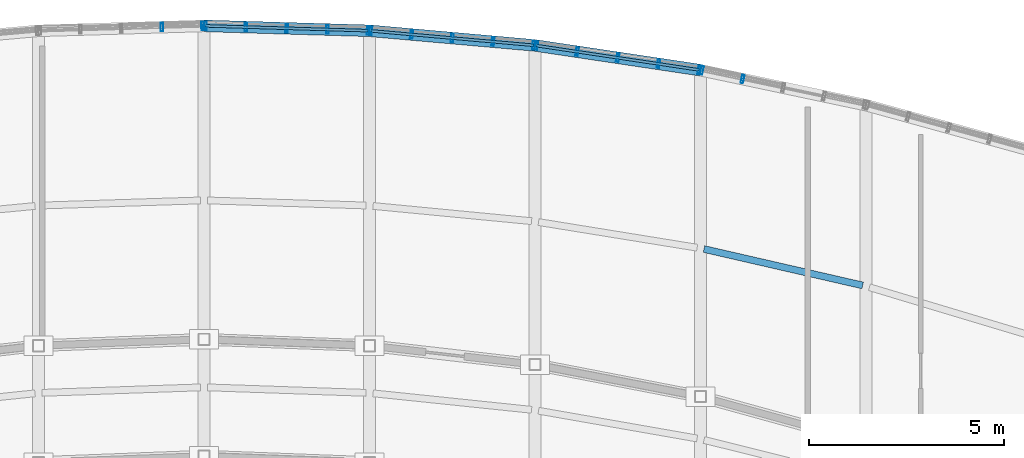
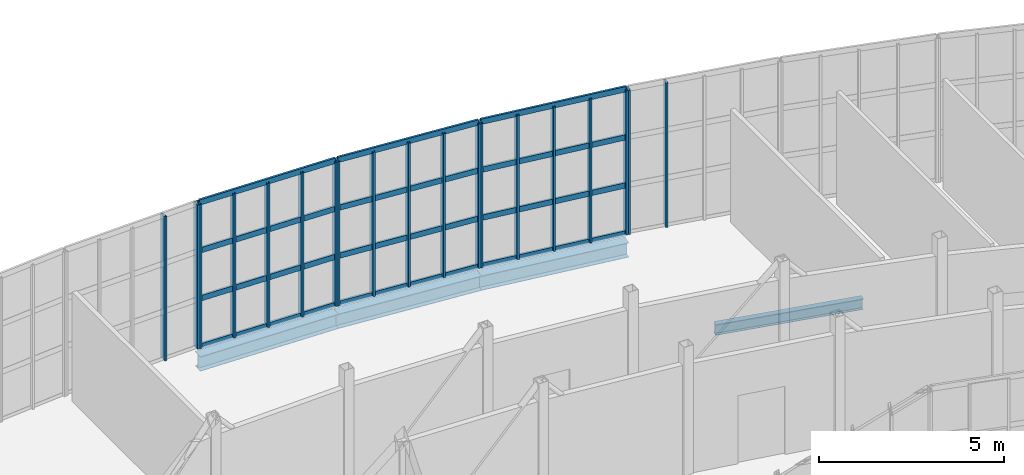
# One storey, part 30 of 46: 31 members, 4 beams, 5 elements without a shape of their own.
"""IFC4 building model written with IfcOpenShell, lengths in metres."""

from ifc_helpers import new_model, si_unit, direction, frame, origin, origin_2d, place, context, subcontext, project, spatial, hollow_rectangle, i_section, extrude, material, material_profile, profile_set, type_object, element, aggregate, save


model = new_model("IFC4")

# Units and contexts
model_context = context("Model", 3, precision=1e-05, world=origin(), true_north=direction((0.0, 1.0)))
body_context = subcontext(model_context, "Body", "Model", "MODEL_VIEW")
ifc_project = project(units=[si_unit("LENGTHUNIT", "METRE"), si_unit("AREAUNIT", "SQUARE_METRE"), si_unit("VOLUMEUNIT", "CUBIC_METRE"), si_unit("PLANEANGLEUNIT", "RADIAN"), si_unit("MASSUNIT", "GRAM", prefix="KILO")], contexts=[model_context])

# Site, building, storey
site_placement = place(None, origin())
site = spatial("IfcSite", under=ifc_project, at=site_placement, CompositionType="ELEMENT")
building_placement = place(site_placement, origin())
building = spatial("IfcBuilding", under=site, at=building_placement, Name="Solvikara Media Centre", CompositionType="ELEMENT")
storey_placement = place(building_placement, frame((0.0, 0.0, 24.60009765625)))
storey = spatial("IfcBuildingStorey", under=building, at=storey_placement, Name="L05", CompositionType="ELEMENT", Elevation=24.60009765625)

# Beams
ifc_material_1 = material(Name="Steel S355JR", Category="steel")
ifc_material_profile_1 = material_profile(ifc_material_1, i_section(OverallWidth=0.175048828125, OverallDepth=0.35009765625, WebThickness=0.007080078125, FlangeThickness=0.010986328125, at=origin_2d()), Name="WF 350x175x7x11")
ifc_profile_set_1 = profile_set([ifc_material_profile_1], Name="Steel S355JR")
beam_type_1 = type_object("IfcBeamType", Name="BM-22", PredefinedType="JOIST", material=ifc_profile_set_1)
beam_1_placement = place(storey_placement, frame((114.837890625, 35.736083984375, -0.397216796875), z_axis=(0.974660207056, -0.223690591624, 0.0), x_axis=(0.223690591624, 0.974660207056, 0.0)))
element("IfcBeam", 1, at=beam_1_placement, inside=storey, type_object=beam_type_1, Name="BJ-L05-09-72", PredefinedType="JOIST", context=body_context, shape_type="SweptSolid", body=[
    extrude(i_section(OverallWidth=0.175048828125, OverallDepth=0.35009765625, WebThickness=0.007080078125, FlangeThickness=0.010986328125, at=origin_2d()), origin(), (0.0, 0.0, 1.0), 4.18017578125),
])
ifc_material_profile_2 = material_profile(ifc_material_1, i_section(OverallWidth=0.300048828125, OverallDepth=0.48193359375, WebThickness=0.010986328125, FlangeThickness=0.014892578125, at=origin_2d()), Name="WF 482x300x11x15")
ifc_profile_set_2 = profile_set([ifc_material_profile_2], Name="Steel S355JR")
beam_type_2 = type_object("IfcBeamType", Name="BM-32", PredefinedType="SPANDREL", material=ifc_profile_set_2)
beam_2_placement = place(storey_placement, frame((102.0, 41.467041015625, -0.463134765625), z_axis=(0.99956097871, -0.029628530849, 0.0), x_axis=(0.029628530849, 0.99956097871, 0.0)))
element("IfcBeam", 2, at=beam_2_placement, inside=storey, type_object=beam_type_2, Name="B-L05-NARC-06", PredefinedType="SPANDREL", context=body_context, shape_type="SweptSolid", body=[
    extrude(i_section(OverallWidth=0.300048828125, OverallDepth=0.48193359375, WebThickness=0.010986328125, FlangeThickness=0.014892578125, at=origin_2d()), origin(), (0.0, 0.0, 1.0), 4.251953125),
])
beam_3_placement = place(storey_placement, frame((106.25, 41.341064453125, -0.463134765625), z_axis=(0.996089667749, -0.088348026597, 0.0), x_axis=(0.088348026597, 0.996089667749, 0.0)))
element("IfcBeam", 3, at=beam_3_placement, inside=storey, type_object=beam_type_2, Name="B-L05-NARC-07", PredefinedType="SPANDREL", context=body_context, shape_type="SweptSolid", body=[
    extrude(i_section(OverallWidth=0.300048828125, OverallDepth=0.48193359375, WebThickness=0.010986328125, FlangeThickness=0.014892578125, at=origin_2d()), origin(), (0.0, 0.0, 1.0), 4.2666015625),
])
beam_4_placement = place(storey_placement, frame((110.5, 40.964111328125, -0.463134765625), z_axis=(0.989021203369, -0.147773675894, 0.0), x_axis=(0.147773675894, 0.989021203369, 0.0)))
element("IfcBeam", 4, at=beam_4_placement, inside=storey, type_object=beam_type_2, Name="B-L05-NARC-08", PredefinedType="SPANDREL", context=body_context, shape_type="SweptSolid", body=[
    extrude(i_section(OverallWidth=0.300048828125, OverallDepth=0.48193359375, WebThickness=0.010986328125, FlangeThickness=0.014892578125, at=origin_2d()), origin(), (0.0, 0.0, 1.0), 4.297119140625),
])

# Curtain wall, members
ifc_material_2 = material(Name="Anodised aluminium EN AW-6063", Category="aluminium")
curtain_wall_type = type_object("IfcCurtainWallType", Name="CW-02", PredefinedType="NOTDEFINED", material=ifc_material_2)
curtain_wall_1_placement = place(storey_placement, origin())
curtain_wall_1 = element("IfcCurtainWall", 5, at=curtain_wall_1_placement, inside=storey, type_object=curtain_wall_type, Name="CW-L05-NARC-05", PredefinedType="NOTDEFINED")
ifc_material_profile_3 = material_profile(ifc_material_2, hollow_rectangle(XDim=0.06494140625, YDim=0.219970703125, WallThickness=0.00390625, at=origin_2d()), Name="ALU-M 65x220x4")
ifc_profile_set_3 = profile_set([ifc_material_profile_3], Name="Anodised aluminium EN AW-6063")
member_type_1 = type_object("IfcMemberType", Name="MF-01", PredefinedType="MULLION", material=ifc_profile_set_3)
member_1_placement = place(storey_placement, frame((100.919921875, 41.43505859375, 0.02001953125), z_axis=(0.0, 0.0, 1.0), x_axis=(0.999560377741, 0.02964879847, 0.0)))
member_1 = element("IfcMember", 6, at=member_1_placement, type_object=member_type_1, Name="CW-L05-NARC-05-M03", PredefinedType="MULLION", context=body_context, shape_type="SweptSolid", body=[
    extrude(hollow_rectangle(XDim=0.06494140625, YDim=0.219970703125, WallThickness=0.00390625, at=origin_2d()), origin(), (0.0, 0.0, 1.0), 4.759765625),
])
member_2_placement = place(storey_placement, frame((101.965087890625, 41.466064453125, 0.02001953125), z_axis=(0.0, 0.0, 1.0), x_axis=(0.999560377741, 0.02964879847, 0.0)))
member_2 = element("IfcMember", 7, at=member_2_placement, type_object=member_type_1, Name="CW-L05-NARC-05-M04", PredefinedType="MULLION", context=body_context, shape_type="SweptSolid", body=[
    extrude(hollow_rectangle(XDim=0.06494140625, YDim=0.219970703125, WallThickness=0.00390625, at=origin_2d()), origin(), (0.0, 0.0, 1.0), 4.759765625),
])
aggregate(curtain_wall_1, [member_1, member_2])

curtain_wall_2_placement = place(storey_placement, origin())
curtain_wall_2 = element("IfcCurtainWall", 8, at=curtain_wall_2_placement, inside=storey, type_object=curtain_wall_type, Name="CW-L05-NARC-06", PredefinedType="NOTDEFINED")
member_3_placement = place(storey_placement, frame((102.034912109375, 41.466064453125, 0.02001953125), z_axis=(0.0, 0.0, 1.0), x_axis=(0.999560377741, -0.02964879847, 0.0)))
member_3 = element("IfcMember", 9, at=member_3_placement, type_object=member_type_1, Name="CW-L05-NARC-06-M00", PredefinedType="MULLION", context=body_context, shape_type="SweptSolid", body=[
    extrude(hollow_rectangle(XDim=0.06494140625, YDim=0.219970703125, WallThickness=0.00390625, at=origin_2d()), origin(), (0.0, 0.0, 1.0), 4.759765625),
])
member_4_placement = place(storey_placement, frame((103.080078125, 41.43505859375, 0.02001953125), z_axis=(0.0, 0.0, 1.0), x_axis=(0.999560377741, -0.02964879847, 0.0)))
member_4 = element("IfcMember", 10, at=member_4_placement, type_object=member_type_1, Name="CW-L05-NARC-06-M01", PredefinedType="MULLION", context=body_context, shape_type="SweptSolid", body=[
    extrude(hollow_rectangle(XDim=0.06494140625, YDim=0.219970703125, WallThickness=0.00390625, at=origin_2d()), origin(), (0.0, 0.0, 1.0), 4.759765625),
])
member_5_placement = place(storey_placement, frame((104.125, 41.404052734375, 0.02001953125), z_axis=(0.0, 0.0, 1.0), x_axis=(0.999560377741, -0.02964879847, 0.0)))
member_5 = element("IfcMember", 11, at=member_5_placement, type_object=member_type_1, Name="CW-L05-NARC-06-M02", PredefinedType="MULLION", context=body_context, shape_type="SweptSolid", body=[
    extrude(hollow_rectangle(XDim=0.06494140625, YDim=0.219970703125, WallThickness=0.00390625, at=origin_2d()), origin(), (0.0, 0.0, 1.0), 4.759765625),
])
member_6_placement = place(storey_placement, frame((105.169921875, 41.373046875, 0.02001953125), z_axis=(0.0, 0.0, 1.0), x_axis=(0.999560377741, -0.02964879847, 0.0)))
member_6 = element("IfcMember", 12, at=member_6_placement, type_object=member_type_1, Name="CW-L05-NARC-06-M03", PredefinedType="MULLION", context=body_context, shape_type="SweptSolid", body=[
    extrude(hollow_rectangle(XDim=0.06494140625, YDim=0.219970703125, WallThickness=0.00390625, at=origin_2d()), origin(), (0.0, 0.0, 1.0), 4.759765625),
])
member_7_placement = place(storey_placement, frame((106.215087890625, 41.342041015625, 0.02001953125), z_axis=(0.0, 0.0, 1.0), x_axis=(0.999560377741, -0.02964879847, 0.0)))
member_7 = element("IfcMember", 13, at=member_7_placement, type_object=member_type_1, Name="CW-L05-NARC-06-M04", PredefinedType="MULLION", context=body_context, shape_type="SweptSolid", body=[
    extrude(hollow_rectangle(XDim=0.06494140625, YDim=0.219970703125, WallThickness=0.00390625, at=origin_2d()), origin(), (0.0, 0.0, 1.0), 4.759765625),
])

curtain_wall_3_placement = place(storey_placement, origin())
curtain_wall_3 = element("IfcCurtainWall", 14, at=curtain_wall_3_placement, inside=storey, type_object=curtain_wall_type, Name="CW-L05-NARC-07", PredefinedType="NOTDEFINED")
member_8_placement = place(storey_placement, frame((106.284912109375, 41.337890625, 0.02001953125), z_axis=(0.0, 0.0, 1.0), x_axis=(0.99608438842, -0.088407528781, 0.0)))
member_8 = element("IfcMember", 15, at=member_8_placement, type_object=member_type_1, Name="CW-L05-NARC-07-M00", PredefinedType="MULLION", context=body_context, shape_type="SweptSolid", body=[
    extrude(hollow_rectangle(XDim=0.06494140625, YDim=0.219970703125, WallThickness=0.00390625, at=origin_2d()), origin(), (0.0, 0.0, 1.0), 4.759765625),
])
member_9_placement = place(storey_placement, frame((107.330078125, 41.2451171875, 0.02001953125), z_axis=(0.0, 0.0, 1.0), x_axis=(0.99608438842, -0.088407528781, 0.0)))
member_9 = element("IfcMember", 16, at=member_9_placement, type_object=member_type_1, Name="CW-L05-NARC-07-M01", PredefinedType="MULLION", context=body_context, shape_type="SweptSolid", body=[
    extrude(hollow_rectangle(XDim=0.06494140625, YDim=0.219970703125, WallThickness=0.00390625, at=origin_2d()), origin(), (0.0, 0.0, 1.0), 4.759765625),
])
member_10_placement = place(storey_placement, frame((108.375, 41.153076171875, 0.02001953125), z_axis=(0.0, 0.0, 1.0), x_axis=(0.99608438842, -0.088407528781, 0.0)))
member_10 = element("IfcMember", 17, at=member_10_placement, type_object=member_type_1, Name="CW-L05-NARC-07-M02", PredefinedType="MULLION", context=body_context, shape_type="SweptSolid", body=[
    extrude(hollow_rectangle(XDim=0.06494140625, YDim=0.219970703125, WallThickness=0.00390625, at=origin_2d()), origin(), (0.0, 0.0, 1.0), 4.759765625),
])
member_11_placement = place(storey_placement, frame((109.419921875, 41.06005859375, 0.02001953125), z_axis=(0.0, 0.0, 1.0), x_axis=(0.99608438842, -0.088407528781, 0.0)))
member_11 = element("IfcMember", 18, at=member_11_placement, type_object=member_type_1, Name="CW-L05-NARC-07-M03", PredefinedType="MULLION", context=body_context, shape_type="SweptSolid", body=[
    extrude(hollow_rectangle(XDim=0.06494140625, YDim=0.219970703125, WallThickness=0.00390625, at=origin_2d()), origin(), (0.0, 0.0, 1.0), 4.759765625),
])
member_12_placement = place(storey_placement, frame((110.465087890625, 40.967041015625, 0.02001953125), z_axis=(0.0, 0.0, 1.0), x_axis=(0.99608438842, -0.088407528781, 0.0)))
member_12 = element("IfcMember", 19, at=member_12_placement, type_object=member_type_1, Name="CW-L05-NARC-07-M04", PredefinedType="MULLION", context=body_context, shape_type="SweptSolid", body=[
    extrude(hollow_rectangle(XDim=0.06494140625, YDim=0.219970703125, WallThickness=0.00390625, at=origin_2d()), origin(), (0.0, 0.0, 1.0), 4.759765625),
])

curtain_wall_4_placement = place(storey_placement, origin())
curtain_wall_4 = element("IfcCurtainWall", 20, at=curtain_wall_4_placement, inside=storey, type_object=curtain_wall_type, Name="CW-L05-NARC-08", PredefinedType="NOTDEFINED")
member_13_placement = place(storey_placement, frame((110.534912109375, 40.958984375, 0.02001953125), z_axis=(0.0, 0.0, 1.0), x_axis=(0.989005541908, -0.147878457102, 0.0)))
member_13 = element("IfcMember", 21, at=member_13_placement, type_object=member_type_1, Name="CW-L05-NARC-08-M00", PredefinedType="MULLION", context=body_context, shape_type="SweptSolid", body=[
    extrude(hollow_rectangle(XDim=0.06494140625, YDim=0.219970703125, WallThickness=0.00390625, at=origin_2d()), origin(), (0.0, 0.0, 1.0), 4.759765625),
])
member_14_placement = place(storey_placement, frame((111.580078125, 40.802978515625, 0.02001953125), z_axis=(0.0, 0.0, 1.0), x_axis=(0.989005541908, -0.147878457102, 0.0)))
member_14 = element("IfcMember", 22, at=member_14_placement, type_object=member_type_1, Name="CW-L05-NARC-08-M01", PredefinedType="MULLION", context=body_context, shape_type="SweptSolid", body=[
    extrude(hollow_rectangle(XDim=0.06494140625, YDim=0.219970703125, WallThickness=0.00390625, at=origin_2d()), origin(), (0.0, 0.0, 1.0), 4.759765625),
])
member_15_placement = place(storey_placement, frame((112.625, 40.64697265625, 0.02001953125), z_axis=(0.0, 0.0, 1.0), x_axis=(0.989005541908, -0.147878457102, 0.0)))
member_15 = element("IfcMember", 23, at=member_15_placement, type_object=member_type_1, Name="CW-L05-NARC-08-M02", PredefinedType="MULLION", context=body_context, shape_type="SweptSolid", body=[
    extrude(hollow_rectangle(XDim=0.06494140625, YDim=0.219970703125, WallThickness=0.00390625, at=origin_2d()), origin(), (0.0, 0.0, 1.0), 4.759765625),
])
member_16_placement = place(storey_placement, frame((113.669921875, 40.489990234375, 0.02001953125), z_axis=(0.0, 0.0, 1.0), x_axis=(0.989005541908, -0.147878457102, 0.0)))
member_16 = element("IfcMember", 24, at=member_16_placement, type_object=member_type_1, Name="CW-L05-NARC-08-M03", PredefinedType="MULLION", context=body_context, shape_type="SweptSolid", body=[
    extrude(hollow_rectangle(XDim=0.06494140625, YDim=0.219970703125, WallThickness=0.00390625, at=origin_2d()), origin(), (0.0, 0.0, 1.0), 4.759765625),
])
member_17_placement = place(storey_placement, frame((114.715087890625, 40.333984375, 0.02001953125), z_axis=(0.0, 0.0, 1.0), x_axis=(0.989005541908, -0.147878457102, 0.0)))
member_17 = element("IfcMember", 25, at=member_17_placement, type_object=member_type_1, Name="CW-L05-NARC-08-M04", PredefinedType="MULLION", context=body_context, shape_type="SweptSolid", body=[
    extrude(hollow_rectangle(XDim=0.06494140625, YDim=0.219970703125, WallThickness=0.00390625, at=origin_2d()), origin(), (0.0, 0.0, 1.0), 4.759765625),
])

curtain_wall_5_placement = place(storey_placement, origin())
curtain_wall_5 = element("IfcCurtainWall", 26, at=curtain_wall_5_placement, inside=storey, type_object=curtain_wall_type, Name="CW-L05-NARC-09", PredefinedType="NOTDEFINED")
member_18_placement = place(storey_placement, frame((114.783935546875, 40.322021484375, 0.02001953125), z_axis=(0.0, 0.0, 1.0), x_axis=(0.97837923005, -0.206818959981, 0.0)))
member_18 = element("IfcMember", 27, at=member_18_placement, type_object=member_type_1, Name="CW-L05-NARC-09-M00", PredefinedType="MULLION", context=body_context, shape_type="SweptSolid", body=[
    extrude(hollow_rectangle(XDim=0.06494140625, YDim=0.219970703125, WallThickness=0.00390625, at=origin_2d()), origin(), (0.0, 0.0, 1.0), 4.759765625),
])
member_19_placement = place(storey_placement, frame((115.830078125, 40.10107421875, 0.02001953125), z_axis=(0.0, 0.0, 1.0), x_axis=(0.97837923005, -0.206818959981, 0.0)))
member_19 = element("IfcMember", 28, at=member_19_placement, type_object=member_type_1, Name="CW-L05-NARC-09-M01", PredefinedType="MULLION", context=body_context, shape_type="SweptSolid", body=[
    extrude(hollow_rectangle(XDim=0.06494140625, YDim=0.219970703125, WallThickness=0.00390625, at=origin_2d()), origin(), (0.0, 0.0, 1.0), 4.759765625),
])
aggregate(curtain_wall_5, [member_18, member_19])

# Member
ifc_material_profile_4 = material_profile(ifc_material_2, hollow_rectangle(XDim=0.06494140625, YDim=0.179931640625, WallThickness=0.00341796875, at=origin_2d()), Name="ALU-T 65x180x3.5")
ifc_profile_set_4 = profile_set([ifc_material_profile_4], Name="Anodised aluminium EN AW-6063")
member_type_2 = type_object("IfcMemberType", Name="MF-07", PredefinedType="USERDEFINED", material=ifc_profile_set_4)
member_20_placement = place(storey_placement, frame((102.034912109375, 41.466064453125, 0.02001953125), z_axis=(0.999560152797, -0.029656381125, 0.0), x_axis=(0.029656381125, 0.999560152797, 0.0)))
member_20 = element("IfcMember", 29, at=member_20_placement, type_object=member_type_2, Name="CW-L05-NARC-06-T00", ObjectType="TRANSOM", PredefinedType="USERDEFINED", context=body_context, shape_type="SweptSolid", body=[
    extrude(hollow_rectangle(XDim=0.06494140625, YDim=0.179931640625, WallThickness=0.00341796875, at=origin_2d()), origin(), (0.0, 0.0, 1.0), 4.18212890625),
])

member_21_placement = place(storey_placement, frame((102.034912109375, 41.466064453125, 1.60693359375), z_axis=(0.999560152797, -0.029656381125, 0.0), x_axis=(0.029656381125, 0.999560152797, 0.0)))
member_21 = element("IfcMember", 30, at=member_21_placement, type_object=member_type_2, Name="CW-L05-NARC-06-T01", ObjectType="TRANSOM", PredefinedType="USERDEFINED", context=body_context, shape_type="SweptSolid", body=[
    extrude(hollow_rectangle(XDim=0.06494140625, YDim=0.179931640625, WallThickness=0.00341796875, at=origin_2d()), origin(), (0.0, 0.0, 1.0), 4.18212890625),
])

member_22_placement = place(storey_placement, frame((102.034912109375, 41.466064453125, 3.19287109375), z_axis=(0.999560152797, -0.029656381125, 0.0), x_axis=(0.029656381125, 0.999560152797, 0.0)))
member_22 = element("IfcMember", 31, at=member_22_placement, type_object=member_type_2, Name="CW-L05-NARC-06-T02", ObjectType="TRANSOM", PredefinedType="USERDEFINED", context=body_context, shape_type="SweptSolid", body=[
    extrude(hollow_rectangle(XDim=0.06494140625, YDim=0.179931640625, WallThickness=0.00341796875, at=origin_2d()), origin(), (0.0, 0.0, 1.0), 4.18212890625),
])

member_23_placement = place(storey_placement, frame((102.034912109375, 41.466064453125, 4.77978515625), z_axis=(0.999560152797, -0.029656381125, 0.0), x_axis=(0.029656381125, 0.999560152797, 0.0)))
member_23 = element("IfcMember", 32, at=member_23_placement, type_object=member_type_2, Name="CW-L05-NARC-06-T03", ObjectType="TRANSOM", PredefinedType="USERDEFINED", context=body_context, shape_type="SweptSolid", body=[
    extrude(hollow_rectangle(XDim=0.06494140625, YDim=0.179931640625, WallThickness=0.00341796875, at=origin_2d()), origin(), (0.0, 0.0, 1.0), 4.18212890625),
])

aggregate(curtain_wall_2, [member_3, member_4, member_5, member_6, member_7, member_20, member_21, member_22, member_23])

member_24_placement = place(storey_placement, frame((106.284912109375, 41.337890625, 0.02001953125), z_axis=(0.996087790013, -0.08836919478, 0.0), x_axis=(0.08836919478, 0.996087790013, 0.0)))
member_24 = element("IfcMember", 33, at=member_24_placement, type_object=member_type_2, Name="CW-L05-NARC-07-T00", ObjectType="TRANSOM", PredefinedType="USERDEFINED", context=body_context, shape_type="SweptSolid", body=[
    extrude(hollow_rectangle(XDim=0.06494140625, YDim=0.179931640625, WallThickness=0.00341796875, at=origin_2d()), origin(), (0.0, 0.0, 1.0), 4.196533203125),
])

member_25_placement = place(storey_placement, frame((106.284912109375, 41.337890625, 1.60693359375), z_axis=(0.996087790013, -0.08836919478, 0.0), x_axis=(0.08836919478, 0.996087790013, 0.0)))
member_25 = element("IfcMember", 34, at=member_25_placement, type_object=member_type_2, Name="CW-L05-NARC-07-T01", ObjectType="TRANSOM", PredefinedType="USERDEFINED", context=body_context, shape_type="SweptSolid", body=[
    extrude(hollow_rectangle(XDim=0.06494140625, YDim=0.179931640625, WallThickness=0.00341796875, at=origin_2d()), origin(), (0.0, 0.0, 1.0), 4.196533203125),
])

member_26_placement = place(storey_placement, frame((106.284912109375, 41.337890625, 3.19287109375), z_axis=(0.996087790013, -0.08836919478, 0.0), x_axis=(0.08836919478, 0.996087790013, 0.0)))
member_26 = element("IfcMember", 35, at=member_26_placement, type_object=member_type_2, Name="CW-L05-NARC-07-T02", ObjectType="TRANSOM", PredefinedType="USERDEFINED", context=body_context, shape_type="SweptSolid", body=[
    extrude(hollow_rectangle(XDim=0.06494140625, YDim=0.179931640625, WallThickness=0.00341796875, at=origin_2d()), origin(), (0.0, 0.0, 1.0), 4.196533203125),
])

member_27_placement = place(storey_placement, frame((106.284912109375, 41.337890625, 4.77978515625), z_axis=(0.996087790013, -0.08836919478, 0.0), x_axis=(0.08836919478, 0.996087790013, 0.0)))
member_27 = element("IfcMember", 36, at=member_27_placement, type_object=member_type_2, Name="CW-L05-NARC-07-T03", ObjectType="TRANSOM", PredefinedType="USERDEFINED", context=body_context, shape_type="SweptSolid", body=[
    extrude(hollow_rectangle(XDim=0.06494140625, YDim=0.179931640625, WallThickness=0.00341796875, at=origin_2d()), origin(), (0.0, 0.0, 1.0), 4.196533203125),
])

aggregate(curtain_wall_3, [member_8, member_9, member_10, member_11, member_12, member_24, member_25, member_26, member_27])

member_28_placement = place(storey_placement, frame((110.534912109375, 40.958984375, 0.02001953125), z_axis=(0.989006573352, -0.147871558684, 0.0), x_axis=(0.147871558684, 0.989006573352, 0.0)))
member_28 = element("IfcMember", 37, at=member_28_placement, type_object=member_type_2, Name="CW-L05-NARC-08-T00", ObjectType="TRANSOM", PredefinedType="USERDEFINED", context=body_context, shape_type="SweptSolid", body=[
    extrude(hollow_rectangle(XDim=0.06494140625, YDim=0.179931640625, WallThickness=0.00341796875, at=origin_2d()), origin(), (0.0, 0.0, 1.0), 4.2265625),
])

member_29_placement = place(storey_placement, frame((110.534912109375, 40.958984375, 1.60693359375), z_axis=(0.989006573352, -0.147871558684, 0.0), x_axis=(0.147871558684, 0.989006573352, 0.0)))
member_29 = element("IfcMember", 38, at=member_29_placement, type_object=member_type_2, Name="CW-L05-NARC-08-T01", ObjectType="TRANSOM", PredefinedType="USERDEFINED", context=body_context, shape_type="SweptSolid", body=[
    extrude(hollow_rectangle(XDim=0.06494140625, YDim=0.179931640625, WallThickness=0.00341796875, at=origin_2d()), origin(), (0.0, 0.0, 1.0), 4.2265625),
])

member_30_placement = place(storey_placement, frame((110.534912109375, 40.958984375, 3.19287109375), z_axis=(0.989006573352, -0.147871558684, 0.0), x_axis=(0.147871558684, 0.989006573352, 0.0)))
member_30 = element("IfcMember", 39, at=member_30_placement, type_object=member_type_2, Name="CW-L05-NARC-08-T02", ObjectType="TRANSOM", PredefinedType="USERDEFINED", context=body_context, shape_type="SweptSolid", body=[
    extrude(hollow_rectangle(XDim=0.06494140625, YDim=0.179931640625, WallThickness=0.00341796875, at=origin_2d()), origin(), (0.0, 0.0, 1.0), 4.2265625),
])

member_31_placement = place(storey_placement, frame((110.534912109375, 40.958984375, 4.77978515625), z_axis=(0.989006573352, -0.147871558684, 0.0), x_axis=(0.147871558684, 0.989006573352, 0.0)))
member_31 = element("IfcMember", 40, at=member_31_placement, type_object=member_type_2, Name="CW-L05-NARC-08-T03", ObjectType="TRANSOM", PredefinedType="USERDEFINED", context=body_context, shape_type="SweptSolid", body=[
    extrude(hollow_rectangle(XDim=0.06494140625, YDim=0.179931640625, WallThickness=0.00341796875, at=origin_2d()), origin(), (0.0, 0.0, 1.0), 4.2265625),
])

aggregate(curtain_wall_4, [member_13, member_14, member_15, member_16, member_17, member_28, member_29, member_30, member_31])

save(model, "model.ifc")
